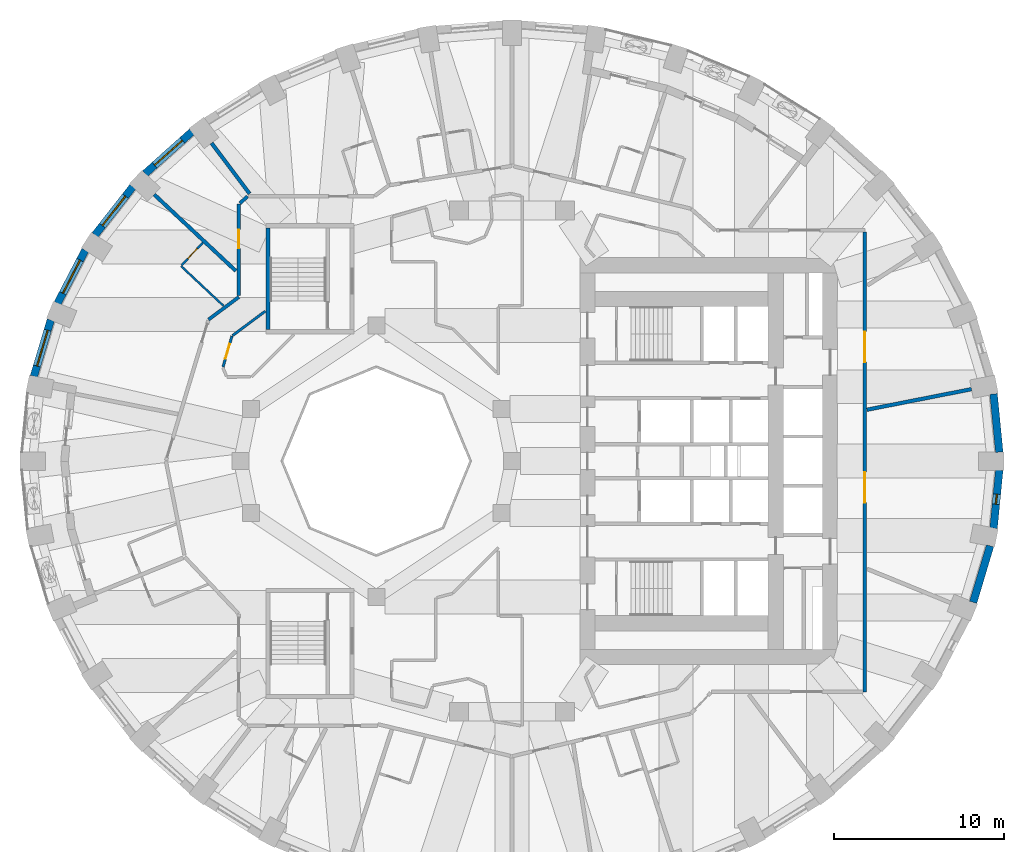
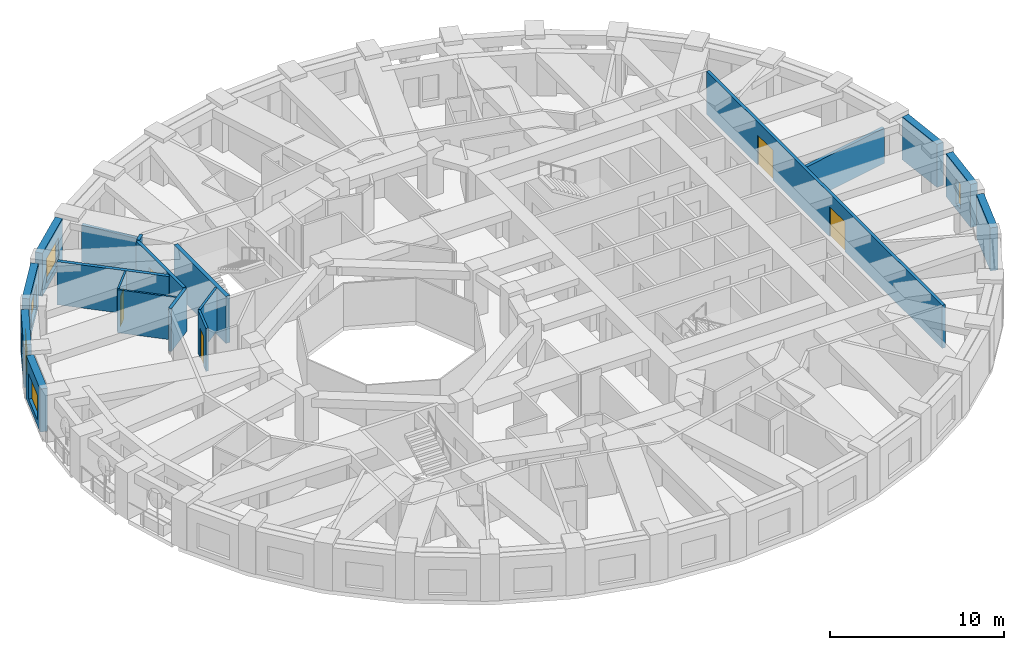
# One storey, part 7 of 14: 19 walls, 5 doors, 5 windows, 10 openings.
"""IFC4 building model written with IfcOpenShell, lengths in metres."""

from ifc_helpers import new_model, si_unit, direction, frame, frame_2d, origin, place, context, subcontext, project, spatial, rectangle, extrude, material, layer, layer_set, type_object, element, fill, save


model = new_model("IFC4")

# Units and contexts
model_context = context("Model", 3, precision=1e-05, world=origin(), true_north=direction((0.0, 1.0)))
body_context = subcontext(model_context, "Body", "Model", "MODEL_VIEW")
ifc_project = project(units=[si_unit("LENGTHUNIT", "METRE"), si_unit("AREAUNIT", "SQUARE_METRE"), si_unit("VOLUMEUNIT", "CUBIC_METRE"), si_unit("PLANEANGLEUNIT", "RADIAN"), si_unit("MASSUNIT", "GRAM", prefix="KILO")], contexts=[model_context])

# Site, building, storey
site_placement = place(None, origin())
site = spatial("IfcSite", under=ifc_project, at=site_placement, CompositionType="ELEMENT")
building_placement = place(site_placement, origin())
building = spatial("IfcBuilding", under=site, at=building_placement, Name="Taillehof Tower", CompositionType="ELEMENT")
storey_placement = place(building_placement, frame((0.0, 0.0, 28.300048828125)))
storey = spatial("IfcBuildingStorey", under=building, at=storey_placement, Name="L06", CompositionType="ELEMENT", Elevation=28.300048828125)

# Wall
ifc_material_1 = material(Name="Brick masonry", Category="masonry")
ifc_layer_1 = layer(ifc_material_1, 0.449951171875)
ifc_layer_set_1 = layer_set([ifc_layer_1], Name="Brick infill wall 450")
wall_type_1 = type_object("IfcWallType", Name="Brick infill wall 450", PredefinedType="SOLIDWALL", material=ifc_layer_set_1)
wall_1_placement = place(storey_placement, frame((28.721923828125, 0.530029296875, 0.0), z_axis=(0.0, 0.0, 1.0), x_axis=(-0.097389581596, 0.995246336038, 0.0)))
element("IfcWall", 1, at=wall_1_placement, inside=storey, type_object=wall_type_1, Name="Brick wall L06 bay 1", PredefinedType="SOLIDWALL", context=body_context, shape_type="SweptSolid", body=[
    extrude(rectangle(XDim=3.44189453125, YDim=0.449951171875, at=frame_2d((1.720947265625, 0.0))), origin(), (0.0, 0.0, 1.0), 3.02001953125),
])

# Wall, opening, window
wall_2_placement = place(storey_placement, frame((-18.87060546875, 19.406982421875, 0.0), z_axis=(0.0, 0.0, 1.0), x_axis=(-0.745526233716, -0.66647628228, 0.0)))
wall_2 = element("IfcWall", 2, at=wall_2_placement, inside=storey, type_object=wall_type_1, Name="Brick wall L06 bay 14", PredefinedType="SOLIDWALL", context=body_context, shape_type="SweptSolid", body=[
    extrude(rectangle(XDim=3.69677734375, YDim=0.449951171875, at=frame_2d((1.848388671875, 0.0))), origin(), (0.0, 0.0, 1.0), 3.02001953125),
])
opening_1_placement = place(wall_2_placement, frame((0.74853515625, 0.0, 0.39990234375)))
opening_1 = element("IfcOpeningElement", 3, at=opening_1_placement, cuts=wall_2, Name="Opening W1", PredefinedType="OPENING", context=body_context, shape_type="SweptSolid", body=[
    extrude(rectangle(XDim=2.199951171875, YDim=1.75, at=frame_2d((1.10009765625, 0.875))), frame((0.0, 0.23486328125, 0.0), z_axis=(0.0, -1.0, 0.0), x_axis=(1.0, 0.0, 0.0)), (0.0, 0.0, 1.0), 0.469970703125),
])
ifc_material_2 = material(Name="Aluminium window frame with clear double glazing", Category="aluminium")
window_type_1 = type_object("IfcWindowType", Name="Deep-set window 2200x1750", PartitioningType="SINGLE_PANEL", PredefinedType="WINDOW", material=ifc_material_2)
window_1_placement = place(opening_1_placement, origin())
window_1 = element("IfcWindow", 4, at=window_1_placement, inside=storey, type_object=window_type_1, Name="W1", OverallHeight=1.75, OverallWidth=2.199951171875, PartitioningType="SINGLE_PANEL", PredefinedType="WINDOW", context=body_context, shape_type="SweptSolid", body=[
    extrude(rectangle(XDim=2.199951171875, YDim=1.75, at=frame_2d((1.10009765625, 0.875))), frame((0.0, 0.034912109375, 0.0), z_axis=(0.0, -1.0, 0.0), x_axis=(1.0, 0.0, 0.0)), (0.0, 0.0, 1.0), 0.06005859375),
])
fill(opening_1, window_1)

wall_3_placement = place(storey_placement, frame((-22.3515625, 16.169677734375, 0.0), z_axis=(0.0, 0.0, 1.0), x_axis=(-0.616661975264, -0.787228053529, 0.0)))
wall_3 = element("IfcWall", 5, at=wall_3_placement, inside=storey, type_object=wall_type_1, Name="Brick wall L06 bay 15", PredefinedType="SOLIDWALL", context=body_context, shape_type="SweptSolid", body=[
    extrude(rectangle(XDim=3.60986328125, YDim=0.449951171875, at=frame_2d((1.804931640625, 0.0))), origin(), (0.0, 0.0, 1.0), 3.02001953125),
])
opening_2_placement = place(wall_3_placement, frame((0.704833984375, 0.0, 0.39990234375)))
opening_2 = element("IfcOpeningElement", 6, at=opening_2_placement, cuts=wall_3, Name="Opening W1", PredefinedType="OPENING", context=body_context, shape_type="SweptSolid", body=[
    extrude(rectangle(XDim=2.199951171875, YDim=1.75, at=frame_2d((1.10009765625, 0.875))), frame((0.0, 0.23486328125, 0.0), z_axis=(0.0, -1.0, 0.0), x_axis=(1.0, 0.0, 0.0)), (0.0, 0.0, 1.0), 0.469970703125),
])
window_2_placement = place(opening_2_placement, origin())
window_2 = element("IfcWindow", 7, at=window_2_placement, inside=storey, type_object=window_type_1, Name="W1", OverallHeight=1.75, OverallWidth=2.199951171875, PartitioningType="SINGLE_PANEL", PredefinedType="WINDOW", context=body_context, shape_type="SweptSolid", body=[
    extrude(rectangle(XDim=2.199951171875, YDim=1.75, at=frame_2d((1.10009765625, 0.875))), frame((0.0, 0.034912109375, 0.0), z_axis=(0.0, -1.0, 0.0), x_axis=(1.0, 0.0, 0.0)), (0.0, 0.0, 1.0), 0.06005859375),
])
fill(opening_2, window_2)

wall_4_placement = place(storey_placement, frame((-25.152099609375, 12.436767578125, 0.0), z_axis=(0.0, 0.0, 1.0), x_axis=(-0.462492775226, -0.886623050041, 0.0)))
wall_4 = element("IfcWall", 8, at=wall_4_placement, inside=storey, type_object=wall_type_1, Name="Brick wall L06 bay 16", PredefinedType="SOLIDWALL", context=body_context, shape_type="SweptSolid", body=[
    extrude(rectangle(XDim=3.531982421875, YDim=0.449951171875, at=frame_2d((1.76611328125, 0.0))), origin(), (0.0, 0.0, 1.0), 3.02001953125),
])
opening_3_placement = place(wall_4_placement, frame((0.666015625, 0.0, 0.39990234375)))
opening_3 = element("IfcOpeningElement", 9, at=opening_3_placement, cuts=wall_4, Name="Opening W1", PredefinedType="OPENING", context=body_context, shape_type="SweptSolid", body=[
    extrude(rectangle(XDim=2.199951171875, YDim=1.75, at=frame_2d((1.10009765625, 0.875))), frame((0.0, 0.23486328125, 0.0), z_axis=(0.0, -1.0, 0.0), x_axis=(1.0, 0.0, 0.0)), (0.0, 0.0, 1.0), 0.469970703125),
])
window_3_placement = place(opening_3_placement, origin())
window_3 = element("IfcWindow", 10, at=window_3_placement, inside=storey, type_object=window_type_1, Name="W1", OverallHeight=1.75, OverallWidth=2.199951171875, PartitioningType="SINGLE_PANEL", PredefinedType="WINDOW", context=body_context, shape_type="SweptSolid", body=[
    extrude(rectangle(XDim=2.199951171875, YDim=1.75, at=frame_2d((1.10009765625, 0.875))), frame((0.0, 0.034912109375, 0.0), z_axis=(0.0, -1.0, 0.0), x_axis=(1.0, 0.0, 0.0)), (0.0, 0.0, 1.0), 0.06005859375),
])
fill(opening_3, window_3)

wall_5_placement = place(storey_placement, frame((-27.184814453125, 8.322998046875, 0.0), z_axis=(0.0, 0.0, 1.0), x_axis=(-0.287064133733, -0.957911364963, 0.0)))
wall_5 = element("IfcWall", 11, at=wall_5_placement, inside=storey, type_object=wall_type_1, Name="Brick wall L06 bay 17", PredefinedType="SOLIDWALL", context=body_context, shape_type="SweptSolid", body=[
    extrude(rectangle(XDim=3.473388671875, YDim=0.449951171875, at=frame_2d((1.73681640625, 0.0))), origin(), (0.0, 0.0, 1.0), 3.02001953125),
])
opening_4_placement = place(wall_5_placement, frame((0.63671875, 0.0, 0.39990234375)))
opening_4 = element("IfcOpeningElement", 12, at=opening_4_placement, cuts=wall_5, Name="Opening W1", PredefinedType="OPENING", context=body_context, shape_type="SweptSolid", body=[
    extrude(rectangle(XDim=2.199951171875, YDim=1.75, at=frame_2d((1.10009765625, 0.875))), frame((0.0, 0.23486328125, 0.0), z_axis=(0.0, -1.0, 0.0), x_axis=(1.0, 0.0, 0.0)), (0.0, 0.0, 1.0), 0.469970703125),
])
window_4_placement = place(opening_4_placement, origin())
window_4 = element("IfcWindow", 13, at=window_4_placement, inside=storey, type_object=window_type_1, Name="W1", OverallHeight=1.75, OverallWidth=2.199951171875, PartitioningType="SINGLE_PANEL", PredefinedType="WINDOW", context=body_context, shape_type="SweptSolid", body=[
    extrude(rectangle(XDim=2.199951171875, YDim=1.75, at=frame_2d((1.10009765625, 0.875))), frame((0.0, 0.034912109375, 0.0), z_axis=(0.0, -1.0, 0.0), x_axis=(1.0, 0.0, 0.0)), (0.0, 0.0, 1.0), 0.06005859375),
])
fill(opening_4, window_4)

# Wall
wall_6_placement = place(storey_placement, frame((27.184814453125, -8.322998046875, 0.0), z_axis=(0.0, 0.0, 1.0), x_axis=(0.287064133733, 0.957911364963, 0.0)))
element("IfcWall", 14, at=wall_6_placement, inside=storey, type_object=wall_type_1, Name="Brick wall L06 bay 35", PredefinedType="SOLIDWALL", context=body_context, shape_type="SweptSolid", body=[
    extrude(rectangle(XDim=3.473388671875, YDim=0.449951171875, at=frame_2d((1.73681640625, 0.0))), origin(), (0.0, 0.0, 1.0), 3.02001953125),
])

# Wall, opening, window
wall_7_placement = place(storey_placement, frame((28.38671875, -3.95556640625, 0.0), z_axis=(0.0, 0.0, 1.0), x_axis=(0.097389581596, 0.995246336038, 0.0)))
wall_7 = element("IfcWall", 15, at=wall_7_placement, inside=storey, type_object=wall_type_1, Name="Brick wall L06 bay 36", PredefinedType="SOLIDWALL", context=body_context, shape_type="SweptSolid", body=[
    extrude(rectangle(XDim=3.44189453125, YDim=0.449951171875, at=frame_2d((1.720947265625, 0.0))), origin(), (0.0, 0.0, 1.0), 3.02001953125),
])
opening_5_placement = place(wall_7_placement, frame((1.4208984375, 0.0, 0.39990234375)))
opening_5 = element("IfcOpeningElement", 16, at=opening_5_placement, cuts=wall_7, Name="Opening W6", PredefinedType="OPENING", context=body_context, shape_type="SweptSolid", body=[
    extrude(rectangle(XDim=0.60009765625, YDim=1.75, at=frame_2d((0.300048828125, 0.875))), frame((0.0, 0.23486328125, 0.0), z_axis=(0.0, -1.0, 0.0), x_axis=(1.0, 0.0, 0.0)), (0.0, 0.0, 1.0), 0.469970703125),
])
ifc_material_3 = material(Name="Aluminium window frame with clear double glazing", Category="aluminium")
window_type_2 = type_object("IfcWindowType", Name="Slot window 600x1750", PartitioningType="SINGLE_PANEL", PredefinedType="WINDOW", material=ifc_material_3)
window_5_placement = place(opening_5_placement, origin())
window_5 = element("IfcWindow", 17, at=window_5_placement, inside=storey, type_object=window_type_2, Name="W6", OverallHeight=1.75, OverallWidth=0.60009765625, PartitioningType="SINGLE_PANEL", PredefinedType="WINDOW", context=body_context, shape_type="SweptSolid", body=[
    extrude(rectangle(XDim=0.60009765625, YDim=1.75, at=frame_2d((0.300048828125, 0.875))), frame((0.0, 0.034912109375, 0.0), z_axis=(0.0, -1.0, 0.0), x_axis=(1.0, 0.0, 0.0)), (0.0, 0.0, 1.0), 0.06005859375),
])
fill(opening_5, window_5)

# Wall
ifc_material_4 = material(Name="Gypsum board on steel studs, two layers each side", Category="steel")
ifc_layer_2 = layer(ifc_material_4, 0.199951171875)
ifc_layer_set_2 = layer_set([ifc_layer_2], Name="Compartment wall corridor 200")
wall_type_2 = type_object("IfcWallType", Name="Compartment wall corridor 200", PredefinedType="PARTITIONING", material=ifc_layer_set_2)
wall_8_placement = place(storey_placement, frame((-17.88427734375, 8.34375, 0.0), z_axis=(0.0, 0.0, 1.0), x_axis=(0.802260120548, 0.596974621721, 0.0)))
element("IfcWall", 18, at=wall_8_placement, inside=storey, type_object=wall_type_2, Name="Compartment wall", PredefinedType="PARTITIONING", context=body_context, shape_type="SweptSolid", body=[
    extrude(rectangle(XDim=2.223876953125, YDim=0.199951171875, at=frame_2d((1.11181640625, 0.0))), origin(), (0.0, 0.0, 1.0), 3.02001953125),
])

# Wall, opening, door
wall_9_placement = place(storey_placement, frame((-16.10009765625, 9.75146484375, 0.0), z_axis=(0.0, 0.0, 1.0), x_axis=(0.0, 1.0, 0.0)))
wall_9 = element("IfcWall", 19, at=wall_9_placement, inside=storey, type_object=wall_type_2, Name="Compartment wall", PredefinedType="PARTITIONING", context=body_context, shape_type="SweptSolid", body=[
    extrude(rectangle(XDim=5.392578125, YDim=0.199951171875, at=frame_2d((2.6962890625, 0.0))), origin(), (0.0, 0.0, 1.0), 3.02001953125),
])
opening_6_placement = place(wall_9_placement, frame((2.7861328125, 0.0, 0.0)))
opening_6 = element("IfcOpeningElement", 20, at=opening_6_placement, cuts=wall_9, Name="Opening D0651", PredefinedType="OPENING", context=body_context, shape_type="SweptSolid", body=[
    extrude(rectangle(XDim=1.10009765625, YDim=2.10009765625, at=frame_2d((0.550048828125, 1.050048828125))), frame((0.0, 0.10986328125, 0.0), z_axis=(0.0, -1.0, 0.0), x_axis=(1.0, 0.0, 0.0)), (0.0, 0.0, 1.0), 0.219970703125),
])
ifc_material_5 = material(Name="Timber door leaf in steel frame", Category="steel")
door_type_1 = type_object("IfcDoorType", Name="Suite entrance door EI 30 1100 x 2100", OperationType="SINGLE_SWING_LEFT", PredefinedType="DOOR", material=ifc_material_5)
door_1_placement = place(opening_6_placement, origin())
door_1 = element("IfcDoor", 21, at=door_1_placement, inside=storey, type_object=door_type_1, Name="D0651", OperationType="SINGLE_SWING_LEFT", OverallHeight=2.10009765625, OverallWidth=1.10009765625, PredefinedType="DOOR", context=body_context, shape_type="SweptSolid", body=[
    extrude(rectangle(XDim=1.10009765625, YDim=2.10009765625, at=frame_2d((0.550048828125, 1.050048828125))), frame((0.0, 0.02490234375, 0.0), z_axis=(0.0, -1.0, 0.0), x_axis=(1.0, 0.0, 0.0)), (0.0, 0.0, 1.0), 0.050048828125),
])
fill(opening_6, door_1)

# Wall
wall_10_placement = place(storey_placement, frame((-16.04052734375, 15.19775390625, 0.0), z_axis=(0.0, 0.0, 1.0), x_axis=(0.744722115519, 0.667374685359, 0.0)))
element("IfcWall", 22, at=wall_10_placement, inside=storey, type_object=wall_type_2, Name="Compartment wall", PredefinedType="PARTITIONING", context=body_context, shape_type="SweptSolid", body=[
    extrude(rectangle(XDim=0.602783203125, YDim=0.199951171875, at=frame_2d((0.30126953125, 0.0))), origin(), (0.0, 0.0, 1.0), 3.02001953125),
])

# Wall, openings, doors
wall_11_placement = place(storey_placement, frame((20.800048828125, 13.5, 0.0), z_axis=(0.0, 0.0, 1.0), x_axis=(0.0, -1.0, 0.0)))
wall_11 = element("IfcWall", 23, at=wall_11_placement, inside=storey, type_object=wall_type_2, Name="Compartment wall", PredefinedType="PARTITIONING", context=body_context, shape_type="SweptSolid", body=[
    extrude(rectangle(XDim=27.10009765625, YDim=0.199951171875, at=frame_2d((13.550048828125, 0.0))), origin(), (0.0, 0.0, 1.0), 3.02001953125),
])
opening_7_placement = place(wall_11_placement, frame((14.148681640625, 0.0, 0.0)))
opening_7 = element("IfcOpeningElement", 24, at=opening_7_placement, cuts=wall_11, Name="Opening D0670", PredefinedType="OPENING", context=body_context, shape_type="SweptSolid", body=[
    extrude(rectangle(XDim=1.800048828125, YDim=2.10009765625, at=frame_2d((0.89990234375, 1.050048828125))), frame((0.0, 0.10986328125, 0.0), z_axis=(0.0, -1.0, 0.0), x_axis=(1.0, 0.0, 0.0)), (0.0, 0.0, 1.0), 0.219970703125),
])
opening_8_placement = place(wall_11_placement, frame((5.864013671875, 0.0, 0.0)))
opening_8 = element("IfcOpeningElement", 25, at=opening_8_placement, cuts=wall_11, Name="Opening D0671", PredefinedType="OPENING", context=body_context, shape_type="SweptSolid", body=[
    extrude(rectangle(XDim=1.800048828125, YDim=2.10009765625, at=frame_2d((0.89990234375, 1.050048828125))), frame((0.0, 0.10986328125, 0.0), z_axis=(0.0, -1.0, 0.0), x_axis=(1.0, 0.0, 0.0)), (0.0, 0.0, 1.0), 0.219970703125),
])
ifc_material_6 = material(Name="Timber door leaf in steel frame", Category="steel")
door_type_2 = type_object("IfcDoorType", Name="Lounge and meeting room double door EI 30 1800 x 2100", OperationType="SINGLE_SWING_LEFT", PredefinedType="DOOR", material=ifc_material_6)
door_2_placement = place(opening_7_placement, origin())
door_2 = element("IfcDoor", 26, at=door_2_placement, inside=storey, type_object=door_type_2, Name="D0670", OperationType="DOUBLE_DOOR_SINGLE_SWING", OverallHeight=2.10009765625, OverallWidth=1.800048828125, PredefinedType="DOOR", context=body_context, shape_type="SweptSolid", body=[
    extrude(rectangle(XDim=1.800048828125, YDim=2.10009765625, at=frame_2d((0.89990234375, 1.050048828125))), frame((0.0, 0.02490234375, 0.0), z_axis=(0.0, -1.0, 0.0), x_axis=(1.0, 0.0, 0.0)), (0.0, 0.0, 1.0), 0.050048828125),
])
fill(opening_7, door_2)
door_3_placement = place(opening_8_placement, origin())
door_3 = element("IfcDoor", 27, at=door_3_placement, inside=storey, type_object=door_type_2, Name="D0671", OperationType="DOUBLE_DOOR_SINGLE_SWING", OverallHeight=2.10009765625, OverallWidth=1.800048828125, PredefinedType="DOOR", context=body_context, shape_type="SweptSolid", body=[
    extrude(rectangle(XDim=1.800048828125, YDim=2.10009765625, at=frame_2d((0.89990234375, 1.050048828125))), frame((0.0, 0.02490234375, 0.0), z_axis=(0.0, -1.0, 0.0), x_axis=(1.0, 0.0, 0.0)), (0.0, 0.0, 1.0), 0.050048828125),
])
fill(opening_8, door_3)

# Walls
ifc_material_7 = material(Name="Gypsum board on double steel studs with mineral wool", Category="steel")
ifc_layer_3 = layer(ifc_material_7, 0.219970703125)
ifc_layer_set_3 = layer_set([ifc_layer_3], Name="Compartment wall guest room 220")
wall_type_3 = type_object("IfcWallType", Name="Compartment wall guest room 220", PredefinedType="PARTITIONING", material=ifc_layer_set_3)
wall_12_placement = place(storey_placement, frame((27.0849609375, 4.239990234375, 0.0), z_axis=(0.0, 0.0, 1.0), x_axis=(-0.981207724218, -0.192954403772, 0.0)))
element("IfcWall", 28, at=wall_12_placement, inside=storey, type_object=wall_type_3, Name="Compartment wall", PredefinedType="PARTITIONING", context=body_context, shape_type="SweptSolid", body=[
    extrude(rectangle(XDim=6.283447265625, YDim=0.219970703125, at=frame_2d((3.1416015625, 0.0))), origin(), (0.0, 0.0, 1.0), 2.469970703125),
])
wall_13_placement = place(storey_placement, frame((-17.707763671875, 18.7431640625, 0.0), z_axis=(0.0, 0.0, 1.0), x_axis=(0.601172757903, -0.799119086967, 0.0)))
element("IfcWall", 29, at=wall_13_placement, inside=storey, type_object=wall_type_3, Name="Compartment wall", PredefinedType="PARTITIONING", context=body_context, shape_type="SweptSolid", body=[
    extrude(rectangle(XDim=3.728515625, YDim=0.219970703125, at=frame_2d((1.8642578125, 0.0))), origin(), (0.0, 0.0, 1.0), 2.570068359375),
])
wall_14_placement = place(storey_placement, frame((-21.09326171875, 15.7177734375, 0.0), z_axis=(0.0, 0.0, 1.0), x_axis=(0.73009284205, -0.683347965525, 0.0)))
element("IfcWall", 30, at=wall_14_placement, inside=storey, type_object=wall_type_3, Name="Compartment wall", PredefinedType="PARTITIONING", context=body_context, shape_type="SweptSolid", body=[
    extrude(rectangle(XDim=6.6015625, YDim=0.219970703125, at=frame_2d((3.30078125, 0.0))), origin(), (0.0, 0.0, 1.0), 3.02001953125),
])

# Wall, opening, door
ifc_material_8 = material(Name="Gypsum board on steel studs, two layers each side", Category="steel")
ifc_layer_4 = layer(ifc_material_8, 0.14990234375)
ifc_layer_set_4 = layer_set([ifc_layer_4], Name="Compartment wall service room 150")
wall_type_4 = type_object("IfcWallType", Name="Compartment wall service room 150", PredefinedType="PARTITIONING", material=ifc_layer_set_4)
wall_15_placement = place(storey_placement, frame((-17.031982421875, 5.552001953125, 0.0), z_axis=(0.0, 0.0, 1.0), x_axis=(0.277658349549, 0.96067988473, 0.0)))
wall_15 = element("IfcWall", 31, at=wall_15_placement, inside=storey, type_object=wall_type_4, Name="Compartment wall", PredefinedType="PARTITIONING", context=body_context, shape_type="SweptSolid", body=[
    extrude(rectangle(XDim=1.8984375, YDim=0.14990234375, at=frame_2d((0.94921875, 0.0))), origin(), (0.0, 0.0, 1.0), 3.02001953125),
])
opening_9_placement = place(wall_15_placement, frame((0.499267578125, 0.0, 0.0)))
opening_9 = element("IfcOpeningElement", 32, at=opening_9_placement, cuts=wall_15, Name="Opening D0675", PredefinedType="OPENING", context=body_context, shape_type="SweptSolid", body=[
    extrude(rectangle(XDim=0.89990234375, YDim=2.10009765625, at=frame_2d((0.449951171875, 1.050048828125))), frame((0.0, 0.0849609375, 0.0), z_axis=(0.0, -1.0, 0.0), x_axis=(1.0, 0.0, 0.0)), (0.0, 0.0, 1.0), 0.169921875),
])
ifc_material_9 = material(Name="Timber door leaf in steel frame", Category="steel")
door_type_3 = type_object("IfcDoorType", Name="Service room door EI 30 900 x 2100", OperationType="SINGLE_SWING_LEFT", PredefinedType="DOOR", material=ifc_material_9)
door_4_placement = place(opening_9_placement, origin())
door_4 = element("IfcDoor", 33, at=door_4_placement, inside=storey, type_object=door_type_3, Name="D0675", OperationType="SINGLE_SWING_LEFT", OverallHeight=2.10009765625, OverallWidth=0.89990234375, PredefinedType="DOOR", context=body_context, shape_type="SweptSolid", body=[
    extrude(rectangle(XDim=0.89990234375, YDim=2.10009765625, at=frame_2d((0.449951171875, 1.050048828125))), frame((0.0, 0.02490234375, 0.0), z_axis=(0.0, -1.0, 0.0), x_axis=(1.0, 0.0, 0.0)), (0.0, 0.0, 1.0), 0.050048828125),
])
fill(opening_9, door_4)

# Walls
wall_16_placement = place(storey_placement, frame((-16.47265625, 7.399658203125, 0.0), z_axis=(0.0, 0.0, 1.0), x_axis=(0.802267063429, 0.596965291233, 0.0)))
element("IfcWall", 34, at=wall_16_placement, inside=storey, type_object=wall_type_4, Name="Compartment wall", PredefinedType="PARTITIONING", context=body_context, shape_type="SweptSolid", body=[
    extrude(rectangle(XDim=2.410400390625, YDim=0.14990234375, at=frame_2d((1.205078125, 0.0))), origin(), (0.0, 0.0, 1.0), 3.02001953125),
])
ifc_material_10 = material(Name="Gypsum board on steel studs, moisture resistant", Category="steel")
ifc_layer_5 = layer(ifc_material_10, 0.1201171875)
ifc_layer_set_5 = layer_set([ifc_layer_5], Name="En-suite wall 120")
wall_type_5 = type_object("IfcWallType", Name="En-suite wall 120", PredefinedType="PARTITIONING", material=ifc_layer_set_5)
wall_17_placement = place(storey_placement, frame((-17.001953125, 9.1494140625, 0.0), z_axis=(0.0, 0.0, 1.0), x_axis=(-0.730093035944, 0.683347758368, 0.0)))
element("IfcWall", 35, at=wall_17_placement, inside=storey, type_object=wall_type_5, Name="En-suite wall", PredefinedType="PARTITIONING", context=body_context, shape_type="SweptSolid", body=[
    extrude(rectangle(XDim=3.4365234375, YDim=0.1201171875, at=frame_2d((1.71826171875, 0.0))), origin(), (0.0, 0.0, 1.0), 3.02001953125),
])

# Wall, opening, door
wall_18_placement = place(storey_placement, frame((-19.469970703125, 11.54150390625, 0.0), z_axis=(0.0, 0.0, 1.0), x_axis=(0.683306289544, 0.730131847456, 0.0)))
wall_18 = element("IfcWall", 36, at=wall_18_placement, inside=storey, type_object=wall_type_5, Name="En-suite wall", PredefinedType="PARTITIONING", context=body_context, shape_type="SweptSolid", body=[
    extrude(rectangle(XDim=1.830078125, YDim=0.1201171875, at=frame_2d((0.9150390625, 0.0))), origin(), (0.0, 0.0, 1.0), 3.02001953125),
])
opening_10_placement = place(wall_18_placement, frame((0.5400390625, 0.0, 0.0)))
opening_10 = element("IfcOpeningElement", 37, at=opening_10_placement, cuts=wall_18, Name="Opening D0653", PredefinedType="OPENING", context=body_context, shape_type="SweptSolid", body=[
    extrude(rectangle(XDim=0.800048828125, YDim=2.10009765625, at=frame_2d((0.39990234375, 1.050048828125))), frame((0.0, 0.070068359375, 0.0), z_axis=(0.0, -1.0, 0.0), x_axis=(1.0, 0.0, 0.0)), (0.0, 0.0, 1.0), 0.14013671875),
])
ifc_material_11 = material(Name="Timber door leaf in steel frame", Category="steel")
door_type_4 = type_object("IfcDoorType", Name="En-suite door 800 x 2100", OperationType="SINGLE_SWING_LEFT", PredefinedType="DOOR", material=ifc_material_11)
door_5_placement = place(opening_10_placement, origin())
door_5 = element("IfcDoor", 38, at=door_5_placement, inside=storey, type_object=door_type_4, Name="D0653", OperationType="SINGLE_SWING_RIGHT", OverallHeight=2.10009765625, OverallWidth=0.800048828125, PredefinedType="DOOR", context=body_context, shape_type="SweptSolid", body=[
    extrude(rectangle(XDim=0.800048828125, YDim=2.10009765625, at=frame_2d((0.39990234375, 1.050048828125))), frame((0.0, 0.02490234375, 0.0), z_axis=(0.0, -1.0, 0.0), x_axis=(1.0, 0.0, 0.0)), (0.0, 0.0, 1.0), 0.050048828125),
])
fill(opening_10, door_5)

# Wall
ifc_material_12 = material(Name="Concrete C50/60", Category="concrete")
ifc_layer_6 = layer(ifc_material_12, 0.25)
ifc_layer_set_6 = layer_set([ifc_layer_6], Name="Stair wall C50/60 250")
wall_type_6 = type_object("IfcWallType", Name="Stair wall C50/60 250", PredefinedType="SHEAR", material=ifc_layer_set_6)
wall_19_placement = place(storey_placement, frame((-14.375, 7.75, -0.280029296875), z_axis=(0.0, 0.0, 1.0), x_axis=(0.0, 1.0, 0.0)))
element("IfcWall", 39, at=wall_19_placement, inside=storey, type_object=wall_type_6, Name="Stair wall SC", PredefinedType="SHEAR", context=body_context, shape_type="SweptSolid", body=[
    extrude(rectangle(XDim=6.0, YDim=0.25, at=frame_2d((3.0, 0.0))), origin(), (0.0, 0.0, 1.0), 3.300048828125),
])

save(model, "model.ifc")
